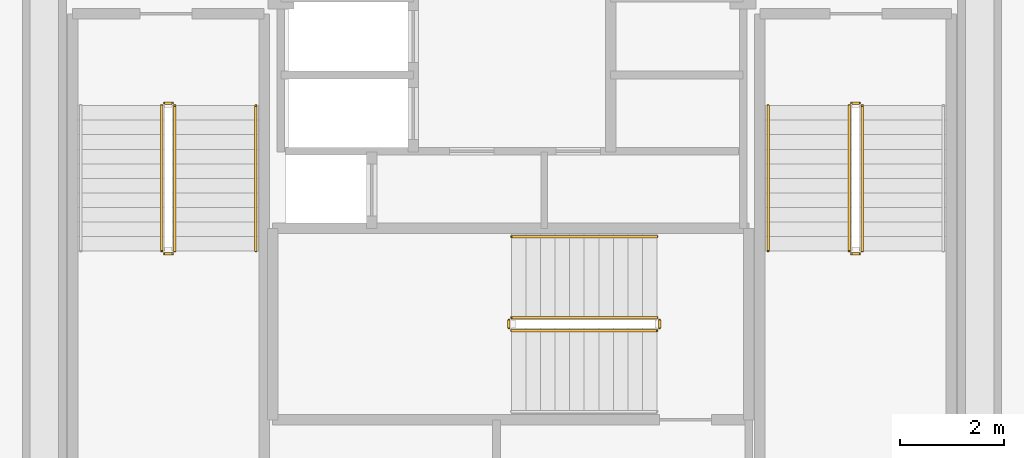
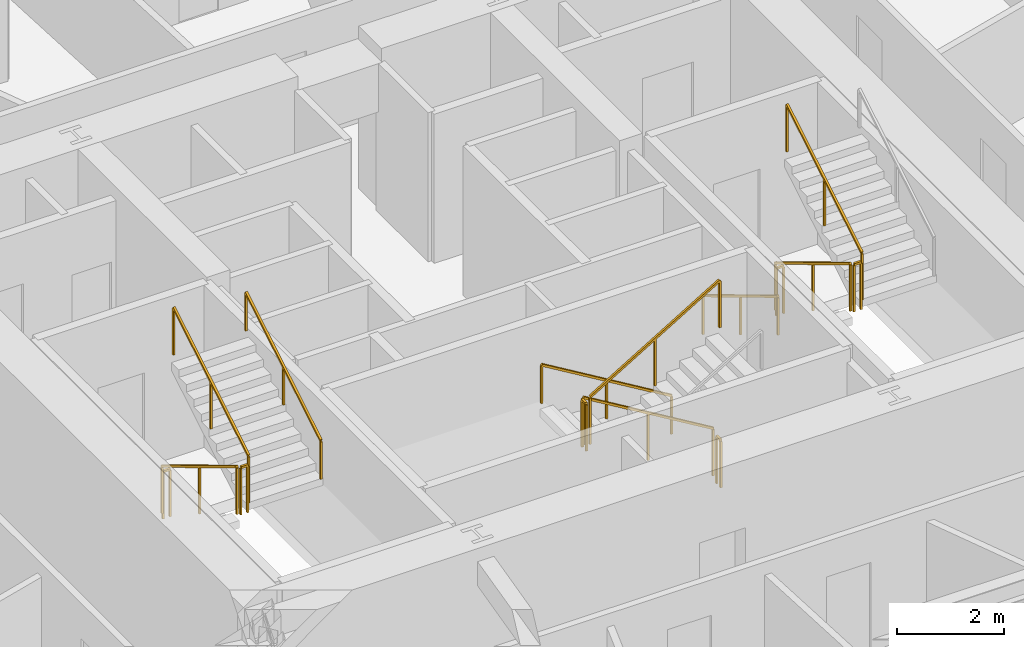
# One storey, part 9 of 10: 15 railings.
"""IFC4 building model written with IfcOpenShell, lengths in metres."""

from ifc_helpers import new_model, si_unit, direction, frame, origin, origin_2d, place, context, subcontext, project, spatial, rectangle, extrude, material, layer, layer_set, type_object, element, save


model = new_model("IFC4")

# Units and contexts
model_context = context("Model", 3, precision=1e-05, world=origin(), true_north=direction((0.0, 1.0)))
body_context = subcontext(model_context, "Body", "Model", "MODEL_VIEW")
ifc_project = project(units=[si_unit("LENGTHUNIT", "METRE"), si_unit("AREAUNIT", "SQUARE_METRE"), si_unit("VOLUMEUNIT", "CUBIC_METRE"), si_unit("PLANEANGLEUNIT", "RADIAN"), si_unit("MASSUNIT", "GRAM", prefix="KILO")], contexts=[model_context])

# Site, building, storey
site_placement = place(None, origin())
site = spatial("IfcSite", under=ifc_project, at=site_placement, CompositionType="ELEMENT")
building_placement = place(site_placement, origin())
building = spatial("IfcBuilding", under=site, at=building_placement, Name="Kilnhurst Terrace Hotel", CompositionType="ELEMENT")
storey_placement = place(building_placement, frame((0.0, 0.0, 121.0)))
storey = spatial("IfcBuildingStorey", under=building, at=storey_placement, Name="L29", CompositionType="ELEMENT", Elevation=121.0)

# Railings
ifc_material_1 = material(Name="Powder-Coated Steel ASTM A500 Grade B", Category="steel")
ifc_layer_1 = layer(ifc_material_1, 0.050048828125, Name="Powder-Coated Steel ASTM A500 Grade B")
ifc_layer_set_1 = layer_set([ifc_layer_1], Name="Powder-Coated Steel ASTM A500 Grade B")
railing_type_1 = type_object("IfcRailingType", Name="RLG-ST-GRD-1100", PredefinedType="GUARDRAIL", material=ifc_layer_set_1)
railing_1_placement = place(storey_placement, frame((-6.739990234375, 0.389892578125, 0.168212890625)))
element("IfcRailing", 1, at=railing_1_placement, inside=storey, type_object=railing_type_1, Name="L29 ST-1 stair guard 1", PredefinedType="GUARDRAIL", context=body_context, shape_type="SweptSolid", body=[
    extrude(rectangle(XDim=0.048095703125, YDim=0.048095703125, at=origin_2d()), frame((0.0, 0.0, 1.076171875), z_axis=(0.0, -0.857222391501, 0.514946377315), x_axis=(1.0, 0.0, 0.0)), (0.0, 0.0, 1.0), 3.26611328125),
    extrude(rectangle(XDim=0.0419921875, YDim=0.0419921875, at=origin_2d()), origin(), (0.0, 0.0, 1.0), 1.052001953125),
    extrude(rectangle(XDim=0.0419921875, YDim=0.0419921875, at=origin_2d()), frame((0.0, -1.39990234375, 0.8408203125)), (0.0, 0.0, 1.0), 1.052001953125),
    extrude(rectangle(XDim=0.0419921875, YDim=0.0419921875, at=origin_2d()), frame((0.0, -2.7998046875, 1.681884765625)), (0.0, 0.0, 1.0), 1.052001953125),
])
railing_2_placement = place(storey_placement, frame((-6.68994140625, -2.4599609375, 1.85009765625)))
element("IfcRailing", 2, at=railing_2_placement, inside=storey, type_object=railing_type_1, Name="L29 ST-1 stair guard 2", PredefinedType="GUARDRAIL", context=body_context, shape_type="SweptSolid", body=[
    extrude(rectangle(XDim=0.048095703125, YDim=0.048095703125, at=origin_2d()), frame((0.0, 0.0, 1.076171875), z_axis=(1.0, 0.0, 0.0), x_axis=(0.0, 1.0, 0.0)), (0.0, 0.0, 1.0), 0.14990234375),
    extrude(rectangle(XDim=0.0419921875, YDim=0.0419921875, at=origin_2d()), origin(), (0.0, 0.0, 1.0), 1.052001953125),
    extrude(rectangle(XDim=0.0419921875, YDim=0.0419921875, at=origin_2d()), frame((0.14990234375, 0.0, 0.0)), (0.0, 0.0, 1.0), 1.052001953125),
])
railing_3_placement = place(storey_placement, frame((-6.489990234375, -2.409912109375, 2.01806640625)))
element("IfcRailing", 3, at=railing_3_placement, inside=storey, type_object=railing_type_1, Name="L29 ST-1 stair guard 3", PredefinedType="GUARDRAIL", context=body_context, shape_type="SweptSolid", body=[
    extrude(rectangle(XDim=0.048095703125, YDim=0.048095703125, at=origin_2d()), frame((0.0, 0.0, 1.076171875), z_axis=(0.0, 0.857222391501, 0.514946377315), x_axis=(-1.0, 0.0, 0.0)), (0.0, 0.0, 1.0), 3.26611328125),
    extrude(rectangle(XDim=0.0419921875, YDim=0.0419921875, at=origin_2d()), origin(), (0.0, 0.0, 1.0), 1.052001953125),
    extrude(rectangle(XDim=0.0419921875, YDim=0.0419921875, at=origin_2d()), frame((0.0, 1.39990234375, 0.8408203125)), (0.0, 0.0, 1.0), 1.052001953125),
    extrude(rectangle(XDim=0.0419921875, YDim=0.0419921875, at=origin_2d()), frame((0.0, 2.7998046875, 1.681884765625)), (0.0, 0.0, 1.0), 1.052001953125),
])
railing_4_placement = place(storey_placement, frame((-6.68994140625, 0.43994140625, 0.0)))
element("IfcRailing", 4, at=railing_4_placement, inside=storey, type_object=railing_type_1, Name="L29 ST-1 stair guard 4", PredefinedType="GUARDRAIL", context=body_context, shape_type="SweptSolid", body=[
    extrude(rectangle(XDim=0.048095703125, YDim=0.048095703125, at=origin_2d()), frame((0.0, 0.0, 1.076171875), z_axis=(1.0, 0.0, 0.0), x_axis=(0.0, 1.0, 0.0)), (0.0, 0.0, 1.0), 0.14990234375),
    extrude(rectangle(XDim=0.0419921875, YDim=0.0419921875, at=origin_2d()), origin(), (0.0, 0.0, 1.0), 1.052001953125),
    extrude(rectangle(XDim=0.0419921875, YDim=0.0419921875, at=origin_2d()), frame((0.14990234375, 0.0, 0.0)), (0.0, 0.0, 1.0), 1.052001953125),
])
railing_5_placement = place(storey_placement, frame((6.489990234375, 0.389892578125, 0.168212890625)))
element("IfcRailing", 5, at=railing_5_placement, inside=storey, type_object=railing_type_1, Name="L29 ST-2 stair guard 1", PredefinedType="GUARDRAIL", context=body_context, shape_type="SweptSolid", body=[
    extrude(rectangle(XDim=0.048095703125, YDim=0.048095703125, at=origin_2d()), frame((0.0, 0.0, 1.076171875), z_axis=(0.0, -0.857222391501, 0.514946377315), x_axis=(1.0, 0.0, 0.0)), (0.0, 0.0, 1.0), 3.26611328125),
    extrude(rectangle(XDim=0.0419921875, YDim=0.0419921875, at=origin_2d()), origin(), (0.0, 0.0, 1.0), 1.052001953125),
    extrude(rectangle(XDim=0.0419921875, YDim=0.0419921875, at=origin_2d()), frame((0.0, -1.39990234375, 0.8408203125)), (0.0, 0.0, 1.0), 1.052001953125),
    extrude(rectangle(XDim=0.0419921875, YDim=0.0419921875, at=origin_2d()), frame((0.0, -2.7998046875, 1.681884765625)), (0.0, 0.0, 1.0), 1.052001953125),
])
railing_6_placement = place(storey_placement, frame((6.5400390625, -2.4599609375, 1.85009765625)))
element("IfcRailing", 6, at=railing_6_placement, inside=storey, type_object=railing_type_1, Name="L29 ST-2 stair guard 2", PredefinedType="GUARDRAIL", context=body_context, shape_type="SweptSolid", body=[
    extrude(rectangle(XDim=0.048095703125, YDim=0.048095703125, at=origin_2d()), frame((0.0, 0.0, 1.076171875), z_axis=(1.0, 0.0, 0.0), x_axis=(0.0, 1.0, 0.0)), (0.0, 0.0, 1.0), 0.14990234375),
    extrude(rectangle(XDim=0.0419921875, YDim=0.0419921875, at=origin_2d()), origin(), (0.0, 0.0, 1.0), 1.052001953125),
    extrude(rectangle(XDim=0.0419921875, YDim=0.0419921875, at=origin_2d()), frame((0.14990234375, 0.0, 0.0)), (0.0, 0.0, 1.0), 1.052001953125),
])
railing_7_placement = place(storey_placement, frame((6.739990234375, -2.409912109375, 2.01806640625)))
element("IfcRailing", 7, at=railing_7_placement, inside=storey, type_object=railing_type_1, Name="L29 ST-2 stair guard 3", PredefinedType="GUARDRAIL", context=body_context, shape_type="SweptSolid", body=[
    extrude(rectangle(XDim=0.048095703125, YDim=0.048095703125, at=origin_2d()), frame((0.0, 0.0, 1.076171875), z_axis=(0.0, 0.857222391501, 0.514946377315), x_axis=(-1.0, 0.0, 0.0)), (0.0, 0.0, 1.0), 3.26611328125),
    extrude(rectangle(XDim=0.0419921875, YDim=0.0419921875, at=origin_2d()), origin(), (0.0, 0.0, 1.0), 1.052001953125),
    extrude(rectangle(XDim=0.0419921875, YDim=0.0419921875, at=origin_2d()), frame((0.0, 1.39990234375, 0.8408203125)), (0.0, 0.0, 1.0), 1.052001953125),
    extrude(rectangle(XDim=0.0419921875, YDim=0.0419921875, at=origin_2d()), frame((0.0, 2.7998046875, 1.681884765625)), (0.0, 0.0, 1.0), 1.052001953125),
])
railing_8_placement = place(storey_placement, frame((6.5400390625, 0.43994140625, 0.0)))
element("IfcRailing", 8, at=railing_8_placement, inside=storey, type_object=railing_type_1, Name="L29 ST-2 stair guard 4", PredefinedType="GUARDRAIL", context=body_context, shape_type="SweptSolid", body=[
    extrude(rectangle(XDim=0.048095703125, YDim=0.048095703125, at=origin_2d()), frame((0.0, 0.0, 1.076171875), z_axis=(1.0, 0.0, 0.0), x_axis=(0.0, 1.0, 0.0)), (0.0, 0.0, 1.0), 0.14990234375),
    extrude(rectangle(XDim=0.0419921875, YDim=0.0419921875, at=origin_2d()), origin(), (0.0, 0.0, 1.0), 1.052001953125),
    extrude(rectangle(XDim=0.0419921875, YDim=0.0419921875, at=origin_2d()), frame((0.14990234375, 0.0, 0.0)), (0.0, 0.0, 1.0), 1.052001953125),
])
railing_9_placement = place(storey_placement, frame((2.7900390625, -3.68994140625, 0.168212890625)))
element("IfcRailing", 9, at=railing_9_placement, inside=storey, type_object=railing_type_1, Name="L29 ST-3 stair guard 1", PredefinedType="GUARDRAIL", context=body_context, shape_type="SweptSolid", body=[
    extrude(rectangle(XDim=0.048095703125, YDim=0.048095703125, at=origin_2d()), frame((0.0, 0.0, 1.076171875), z_axis=(-0.857242210791, 0.0, 0.514913383045), x_axis=(0.0, -1.0, 0.0)), (0.0, 0.0, 1.0), 3.266357421875),
    extrude(rectangle(XDim=0.0419921875, YDim=0.0419921875, at=origin_2d()), origin(), (0.0, 0.0, 1.0), 1.052001953125),
    extrude(rectangle(XDim=0.0419921875, YDim=0.0419921875, at=origin_2d()), frame((-1.39990234375, 0.0, 0.8408203125)), (0.0, 0.0, 1.0), 1.052001953125),
    extrude(rectangle(XDim=0.0419921875, YDim=0.0419921875, at=origin_2d()), frame((-2.800048828125, 0.0, 1.681884765625)), (0.0, 0.0, 1.0), 1.052001953125),
])
railing_10_placement = place(storey_placement, frame((-0.06005859375, -3.739990234375, 1.85009765625)))
element("IfcRailing", 10, at=railing_10_placement, inside=storey, type_object=railing_type_1, Name="L29 ST-3 stair guard 2", PredefinedType="GUARDRAIL", context=body_context, shape_type="SweptSolid", body=[
    extrude(rectangle(XDim=0.048095703125, YDim=0.048095703125, at=origin_2d()), frame((0.0, 0.0, 1.076171875), z_axis=(0.0, -1.0, 0.0), x_axis=(1.0, 0.0, 0.0)), (0.0, 0.0, 1.0), 0.14990234375),
    extrude(rectangle(XDim=0.0419921875, YDim=0.0419921875, at=origin_2d()), origin(), (0.0, 0.0, 1.0), 1.052001953125),
    extrude(rectangle(XDim=0.0419921875, YDim=0.0419921875, at=origin_2d()), frame((0.0, -0.14990234375, 0.0)), (0.0, 0.0, 1.0), 1.052001953125),
])
railing_11_placement = place(storey_placement, frame((-0.010009765625, -3.93994140625, 2.01806640625)))
element("IfcRailing", 11, at=railing_11_placement, inside=storey, type_object=railing_type_1, Name="L29 ST-3 stair guard 3", PredefinedType="GUARDRAIL", context=body_context, shape_type="SweptSolid", body=[
    extrude(rectangle(XDim=0.048095703125, YDim=0.048095703125, at=origin_2d()), frame((0.0, 0.0, 1.076171875), z_axis=(0.857242210791, 0.0, 0.514913383045), x_axis=(0.0, 1.0, 0.0)), (0.0, 0.0, 1.0), 3.266357421875),
    extrude(rectangle(XDim=0.0419921875, YDim=0.0419921875, at=origin_2d()), origin(), (0.0, 0.0, 1.0), 1.052001953125),
    extrude(rectangle(XDim=0.0419921875, YDim=0.0419921875, at=origin_2d()), frame((1.39990234375, 0.0, 0.8408203125)), (0.0, 0.0, 1.0), 1.052001953125),
    extrude(rectangle(XDim=0.0419921875, YDim=0.0419921875, at=origin_2d()), frame((2.800048828125, 0.0, 1.681884765625)), (0.0, 0.0, 1.0), 1.052001953125),
])
railing_12_placement = place(storey_placement, frame((2.840087890625, -3.739990234375, 0.0)))
element("IfcRailing", 12, at=railing_12_placement, inside=storey, type_object=railing_type_1, Name="L29 ST-3 stair guard 4", PredefinedType="GUARDRAIL", context=body_context, shape_type="SweptSolid", body=[
    extrude(rectangle(XDim=0.048095703125, YDim=0.048095703125, at=origin_2d()), frame((0.0, 0.0, 1.076171875), z_axis=(0.0, -1.0, 0.0), x_axis=(1.0, 0.0, 0.0)), (0.0, 0.0, 1.0), 0.14990234375),
    extrude(rectangle(XDim=0.0419921875, YDim=0.0419921875, at=origin_2d()), origin(), (0.0, 0.0, 1.0), 1.052001953125),
    extrude(rectangle(XDim=0.0419921875, YDim=0.0419921875, at=origin_2d()), frame((0.0, -0.14990234375, 0.0)), (0.0, 0.0, 1.0), 1.052001953125),
])
ifc_material_2 = material(Name="Brushed Stainless Steel AISI 304", Category="steel")
ifc_layer_2 = layer(ifc_material_2, 0.048095703125, Name="Brushed Stainless Steel AISI 304")
ifc_layer_set_2 = layer_set([ifc_layer_2], Name="Brushed Stainless Steel AISI 304")
railing_type_2 = type_object("IfcRailingType", Name="RLG-ST-HRL-900", PredefinedType="HANDRAIL", material=ifc_layer_set_2)
railing_13_placement = place(storey_placement, frame((-4.929931640625, -2.409912109375, 2.01806640625)))
element("IfcRailing", 13, at=railing_13_placement, inside=storey, type_object=railing_type_2, Name="L29 ST-1 stair handrail 2", PredefinedType="HANDRAIL", context=body_context, shape_type="SweptSolid", body=[
    extrude(rectangle(XDim=0.048095703125, YDim=0.048095703125, at=origin_2d()), frame((0.0, 0.0, 0.8759765625), z_axis=(0.0, 0.857222391501, 0.514946377315), x_axis=(-1.0, 0.0, 0.0)), (0.0, 0.0, 1.0), 3.26611328125),
    extrude(rectangle(XDim=0.0419921875, YDim=0.0419921875, at=origin_2d()), origin(), (0.0, 0.0, 1.0), 0.851806640625),
    extrude(rectangle(XDim=0.0419921875, YDim=0.0419921875, at=origin_2d()), frame((0.0, 1.39990234375, 0.8408203125)), (0.0, 0.0, 1.0), 0.851806640625),
    extrude(rectangle(XDim=0.0419921875, YDim=0.0419921875, at=origin_2d()), frame((0.0, 2.7998046875, 1.681884765625)), (0.0, 0.0, 1.0), 0.851806640625),
])
railing_14_placement = place(storey_placement, frame((4.929931640625, 0.389892578125, 0.168212890625)))
element("IfcRailing", 14, at=railing_14_placement, inside=storey, type_object=railing_type_2, Name="L29 ST-2 stair handrail 1", PredefinedType="HANDRAIL", context=body_context, shape_type="SweptSolid", body=[
    extrude(rectangle(XDim=0.048095703125, YDim=0.048095703125, at=origin_2d()), frame((0.0, 0.0, 0.8759765625), z_axis=(0.0, -0.857222391501, 0.514946377315), x_axis=(1.0, 0.0, 0.0)), (0.0, 0.0, 1.0), 3.26611328125),
    extrude(rectangle(XDim=0.0419921875, YDim=0.0419921875, at=origin_2d()), origin(), (0.0, 0.0, 1.0), 0.851806640625),
    extrude(rectangle(XDim=0.0419921875, YDim=0.0419921875, at=origin_2d()), frame((0.0, -1.39990234375, 0.8408203125)), (0.0, 0.0, 1.0), 0.851806640625),
    extrude(rectangle(XDim=0.0419921875, YDim=0.0419921875, at=origin_2d()), frame((0.0, -2.7998046875, 1.681884765625)), (0.0, 0.0, 1.0), 0.851806640625),
])
railing_15_placement = place(storey_placement, frame((2.7900390625, -2.1298828125, 0.168212890625)))
element("IfcRailing", 15, at=railing_15_placement, inside=storey, type_object=railing_type_2, Name="L29 ST-3 stair handrail 1", PredefinedType="HANDRAIL", context=body_context, shape_type="SweptSolid", body=[
    extrude(rectangle(XDim=0.048095703125, YDim=0.048095703125, at=origin_2d()), frame((0.0, 0.0, 0.8759765625), z_axis=(-0.857242210791, 0.0, 0.514913383045), x_axis=(0.0, -1.0, 0.0)), (0.0, 0.0, 1.0), 3.266357421875),
    extrude(rectangle(XDim=0.0419921875, YDim=0.0419921875, at=origin_2d()), origin(), (0.0, 0.0, 1.0), 0.851806640625),
    extrude(rectangle(XDim=0.0419921875, YDim=0.0419921875, at=origin_2d()), frame((-1.39990234375, 0.0, 0.8408203125)), (0.0, 0.0, 1.0), 0.851806640625),
    extrude(rectangle(XDim=0.0419921875, YDim=0.0419921875, at=origin_2d()), frame((-2.800048828125, 0.0, 1.681884765625)), (0.0, 0.0, 1.0), 0.851806640625),
])

save(model, "model.ifc")
